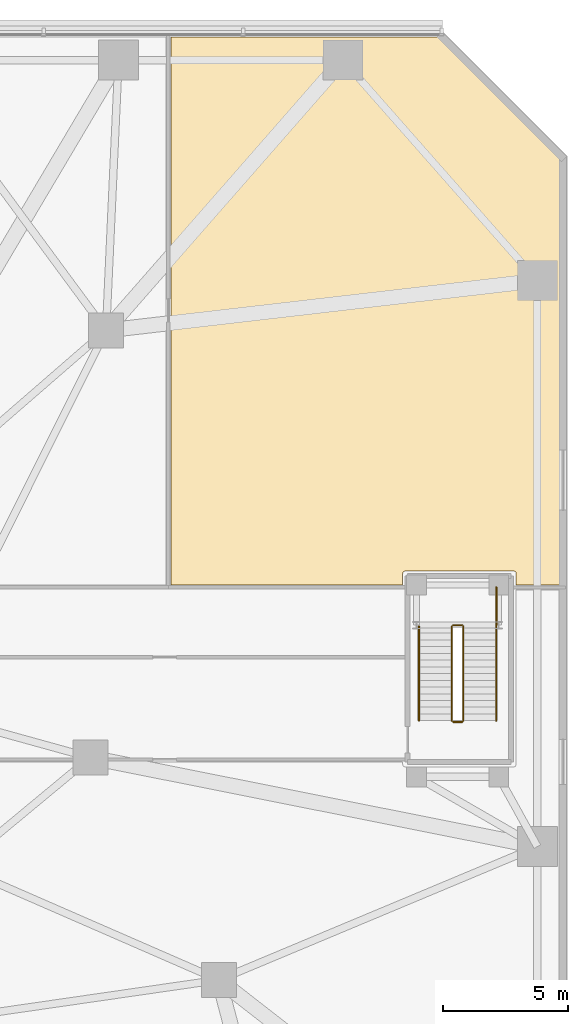
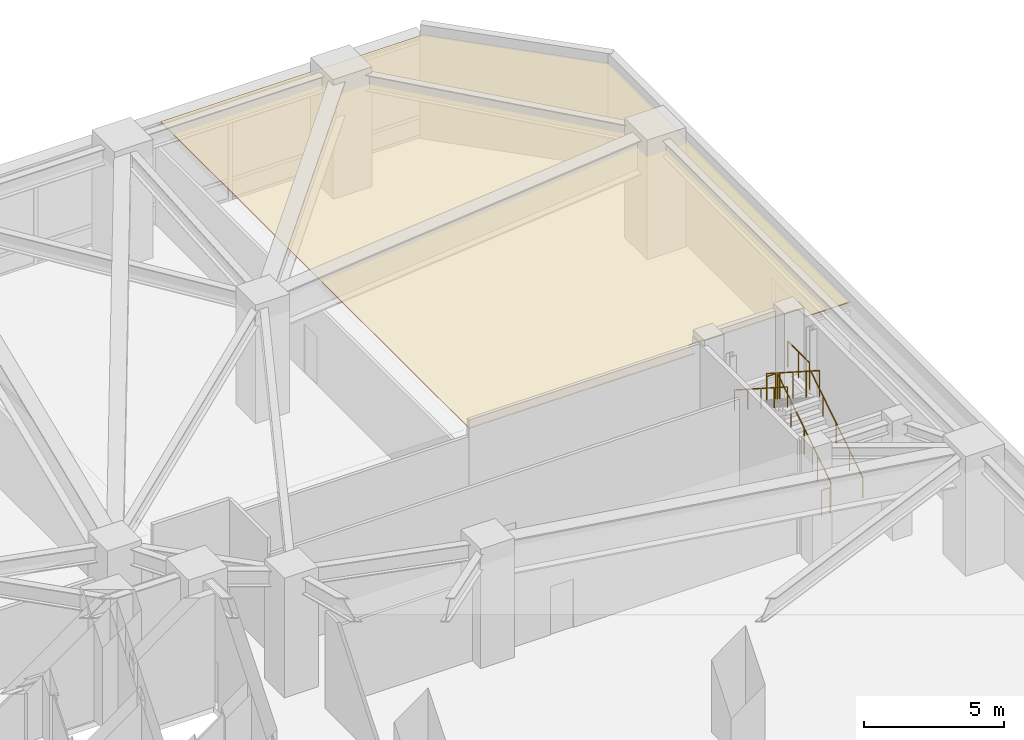
# One storey, part 28 of 28: 7 railings, 1 covering.
"""IFC4 building model written with IfcOpenShell, lengths in metres."""

from ifc_helpers import new_model, si_unit, direction, frame, origin, origin_2d, place, context, subcontext, project, spatial, polyline, circle, outline, extrude, material, layer, layer_set, type_object, element, save


model = new_model("IFC4")

# Units and contexts
model_context = context("Model", 3, precision=1e-05, world=origin(), true_north=direction((0.0, 1.0)))
body_context = subcontext(model_context, "Body", "Model", "MODEL_VIEW")
ifc_project = project(units=[si_unit("LENGTHUNIT", "METRE"), si_unit("AREAUNIT", "SQUARE_METRE"), si_unit("VOLUMEUNIT", "CUBIC_METRE"), si_unit("PLANEANGLEUNIT", "RADIAN"), si_unit("MASSUNIT", "GRAM", prefix="KILO")], contexts=[model_context])

# Site, building, storey
site_placement = place(None, origin())
site = spatial("IfcSite", under=ifc_project, at=site_placement, CompositionType="ELEMENT")
building_placement = place(site_placement, origin())
building = spatial("IfcBuilding", under=site, at=building_placement, Name="Terralouvre Media Tower", CompositionType="ELEMENT")
storey_placement = place(building_placement, frame((0.0, 0.0, 10.39990234375)))
storey = spatial("IfcBuildingStorey", under=building, at=storey_placement, Name="L02", CompositionType="ELEMENT", Elevation=10.39990234375)

# Covering
ifc_material_1 = material(Name="Perforated aluminium acoustic ceiling baffle", Category="aluminium")
ifc_layer_1 = layer(ifc_material_1, 0.0400390625, Name="Perforated Acoustic Metal Tile Ceiling CL-AC1")
ifc_layer_set_1 = layer_set([ifc_layer_1], Name="Perforated aluminium acoustic ceiling baffle")
covering_type = type_object("IfcCoveringType", Name="Perforated Acoustic Metal Tile Ceiling CL-AC1", PredefinedType="CEILING", material=ifc_layer_set_1)
covering_placement = place(storey_placement, frame((0.0, 0.0, 4.43017578125)))
element("IfcCovering", 1, at=covering_placement, inside=storey, type_object=covering_type, Name="L02 L02 Operations Crew Lounge 8 Acoustic Ceiling", PredefinedType="CEILING", context=body_context, shape_type="SweptSolid", body=[
    extrude(outline(polyline([(30.39990234375, 11.300048828125), (30.39990234375, 11.75), (30.400390625, 11.759765625), (30.40185546875, 11.76953125), (30.404296875, 11.779052734375), (30.40771484375, 11.788330078125), (30.411865234375, 11.797119140625), (30.4169921875, 11.8056640625), (30.422607421875, 11.8134765625), (30.42919921875, 11.82080078125), (30.4365234375, 11.827392578125), (30.4443359375, 11.8330078125), (30.452880859375, 11.838134765625), (30.461669921875, 11.84228515625), (30.470947265625, 11.845703125), (30.48046875, 11.84814453125), (30.490234375, 11.849609375), (30.5, 11.85009765625), (34.85009765625, 11.85009765625), (34.85986328125, 11.849609375), (34.869384765625, 11.84814453125), (34.87890625, 11.845703125), (34.88818359375, 11.84228515625), (34.897216796875, 11.838134765625), (34.905517578125, 11.8330078125), (34.913330078125, 11.827392578125), (34.920654296875, 11.82080078125), (34.92724609375, 11.8134765625), (34.93310546875, 11.8056640625), (34.938232421875, 11.797119140625), (34.9423828125, 11.788330078125), (34.94580078125, 11.779052734375), (34.947998046875, 11.76953125), (34.949462890625, 11.759765625), (34.949951171875, 11.75), (34.949951171875, 11.300048828125), (36.780029296875, 11.300048828125), (36.780029296875, 28.40869140625), (31.90869140625, 33.280029296875), (21.10009765625, 33.280029296875), (21.10009765625, 11.300048828125), (30.39990234375, 11.300048828125)])), origin(), (0.0, 0.0, 1.0), 0.0400390625),
])

# Railings
ifc_material_2 = material(Name="Stainless steel 316 handrail and balustrade", Category="steel")
ifc_layer_2 = layer(ifc_material_2, 0.050048828125, Name="Stair Flight Wall Handrail HR-INT1")
ifc_layer_set_2 = layer_set([ifc_layer_2], Name="Stainless steel 316 handrail and balustrade")
railing_type_1 = type_object("IfcRailingType", Name="Stair Flight Wall Handrail HR-INT1", PredefinedType="HANDRAIL", material=ifc_layer_set_2)
railing_1_placement = place(storey_placement, frame((34.14990234375, 5.85009765625, 0.17333984375)))
element("IfcRailing", 2, at=railing_1_placement, inside=storey, type_object=railing_type_1, Name="L02 ST-04 stair handrail 1", PredefinedType="HANDRAIL", context=body_context, shape_type="SweptSolid", body=[
    extrude(circle(Radius=0.02392578125, at=origin_2d()), frame((0.0, 0.0, 0.8759765625), z_axis=(0.0, 0.841492677865, 0.540268519441), x_axis=(-1.0, 0.0, 0.0)), (0.0, 0.0, 1.0), 4.49169921875),
    extrude(circle(Radius=0.02099609375, at=origin_2d()), origin(), (0.0, 0.0, 1.0), 0.851806640625),
    extrude(circle(Radius=0.02099609375, at=origin_2d()), frame((0.0, 0.94482421875, 0.606689453125)), (0.0, 0.0, 1.0), 0.851806640625),
    extrude(circle(Radius=0.02099609375, at=origin_2d()), frame((0.0, 1.889892578125, 1.21337890625)), (0.0, 0.0, 1.0), 0.851806640625),
    extrude(circle(Radius=0.02099609375, at=origin_2d()), frame((0.0, 2.8349609375, 1.820068359375)), (0.0, 0.0, 1.0), 0.851806640625),
    extrude(circle(Radius=0.02099609375, at=origin_2d()), frame((0.0, 3.77978515625, 2.4267578125)), (0.0, 0.0, 1.0), 0.851806640625),
])
railing_2_placement = place(storey_placement, frame((31.050048828125, 9.6298828125, 2.7734375)))
element("IfcRailing", 3, at=railing_2_placement, inside=storey, type_object=railing_type_1, Name="L02 ST-04 stair handrail 2", PredefinedType="HANDRAIL", context=body_context, shape_type="SweptSolid", body=[
    extrude(circle(Radius=0.02392578125, at=origin_2d()), frame((0.0, 0.0, 0.8759765625), z_axis=(0.0, -0.841492677865, 0.540268519441), x_axis=(1.0, 0.0, 0.0)), (0.0, 0.0, 1.0), 4.49169921875),
    extrude(circle(Radius=0.02099609375, at=origin_2d()), origin(), (0.0, 0.0, 1.0), 0.851806640625),
    extrude(circle(Radius=0.02099609375, at=origin_2d()), frame((0.0, -0.94482421875, 0.606689453125)), (0.0, 0.0, 1.0), 0.851806640625),
    extrude(circle(Radius=0.02099609375, at=origin_2d()), frame((0.0, -1.889892578125, 1.21337890625)), (0.0, 0.0, 1.0), 0.851806640625),
    extrude(circle(Radius=0.02099609375, at=origin_2d()), frame((0.0, -2.8349609375, 1.820068359375)), (0.0, 0.0, 1.0), 0.851806640625),
    extrude(circle(Radius=0.02099609375, at=origin_2d()), frame((0.0, -3.77978515625, 2.4267578125)), (0.0, 0.0, 1.0), 0.851806640625),
])
ifc_material_3 = material(Name="Stainless steel 316 handrail and balustrade", Category="steel")
ifc_layer_3 = layer(ifc_material_3, 0.050048828125, Name="Stairwell Safety Guardrail GR-INT1")
ifc_layer_set_3 = layer_set([ifc_layer_3], Name="Stainless steel 316 handrail and balustrade")
railing_type_2 = type_object("IfcRailingType", Name="Stairwell Safety Guardrail GR-INT1", PredefinedType="GUARDRAIL", material=ifc_layer_set_3)
railing_3_placement = place(storey_placement, frame((32.830078125, 5.85009765625, 0.17333984375)))
element("IfcRailing", 4, at=railing_3_placement, inside=storey, type_object=railing_type_2, Name="L02 ST-04 stair guard 1", PredefinedType="GUARDRAIL", context=body_context, shape_type="SweptSolid", body=[
    extrude(circle(Radius=0.02392578125, at=origin_2d()), frame((0.0, 0.0, 1.1259765625), z_axis=(0.0, 0.841492677865, 0.540268519441), x_axis=(-1.0, 0.0, 0.0)), (0.0, 0.0, 1.0), 4.49169921875),
    extrude(circle(Radius=0.02099609375, at=origin_2d()), origin(), (0.0, 0.0, 1.0), 1.101806640625),
    extrude(circle(Radius=0.02099609375, at=origin_2d()), frame((0.0, 0.94482421875, 0.606689453125)), (0.0, 0.0, 1.0), 1.101806640625),
    extrude(circle(Radius=0.02099609375, at=origin_2d()), frame((0.0, 1.889892578125, 1.21337890625)), (0.0, 0.0, 1.0), 1.101806640625),
    extrude(circle(Radius=0.02099609375, at=origin_2d()), frame((0.0, 2.8349609375, 1.820068359375)), (0.0, 0.0, 1.0), 1.101806640625),
    extrude(circle(Radius=0.02099609375, at=origin_2d()), frame((0.0, 3.77978515625, 2.4267578125)), (0.0, 0.0, 1.0), 1.101806640625),
])
railing_4_placement = place(storey_placement, frame((32.780029296875, 9.679931640625, 2.60009765625)))
element("IfcRailing", 5, at=railing_4_placement, inside=storey, type_object=railing_type_2, Name="L02 ST-04 stair guard 2", PredefinedType="GUARDRAIL", context=body_context, shape_type="SweptSolid", body=[
    extrude(circle(Radius=0.02392578125, at=origin_2d()), frame((0.0, 0.0, 1.1259765625), z_axis=(-1.0, 0.0, 0.0), x_axis=(0.0, -1.0, 0.0)), (0.0, 0.0, 1.0), 0.360107421875),
    extrude(circle(Radius=0.02099609375, at=origin_2d()), origin(), (0.0, 0.0, 1.0), 1.101806640625),
    extrude(circle(Radius=0.02099609375, at=origin_2d()), frame((-0.360107421875, 0.0, 0.0)), (0.0, 0.0, 1.0), 1.101806640625),
])
railing_5_placement = place(storey_placement, frame((32.3701171875, 9.6298828125, 2.7734375)))
element("IfcRailing", 6, at=railing_5_placement, inside=storey, type_object=railing_type_2, Name="L02 ST-04 stair guard 3", PredefinedType="GUARDRAIL", context=body_context, shape_type="SweptSolid", body=[
    extrude(circle(Radius=0.02392578125, at=origin_2d()), frame((0.0, 0.0, 1.1259765625), z_axis=(0.0, -0.841492677865, 0.540268519441), x_axis=(1.0, 0.0, 0.0)), (0.0, 0.0, 1.0), 4.49169921875),
    extrude(circle(Radius=0.02099609375, at=origin_2d()), origin(), (0.0, 0.0, 1.0), 1.101806640625),
    extrude(circle(Radius=0.02099609375, at=origin_2d()), frame((0.0, -0.94482421875, 0.606689453125)), (0.0, 0.0, 1.0), 1.101806640625),
    extrude(circle(Radius=0.02099609375, at=origin_2d()), frame((0.0, -1.889892578125, 1.21337890625)), (0.0, 0.0, 1.0), 1.101806640625),
    extrude(circle(Radius=0.02099609375, at=origin_2d()), frame((0.0, -2.8349609375, 1.820068359375)), (0.0, 0.0, 1.0), 1.101806640625),
    extrude(circle(Radius=0.02099609375, at=origin_2d()), frame((0.0, -3.77978515625, 2.4267578125)), (0.0, 0.0, 1.0), 1.101806640625),
])
railing_6_placement = place(storey_placement, frame((32.780029296875, 5.800048828125, 0.0)))
element("IfcRailing", 7, at=railing_6_placement, inside=storey, type_object=railing_type_2, Name="L02 ST-04 stair guard 4", PredefinedType="GUARDRAIL", context=body_context, shape_type="SweptSolid", body=[
    extrude(circle(Radius=0.02392578125, at=origin_2d()), frame((0.0, 0.0, 1.1259765625), z_axis=(-1.0, 0.0, 0.0), x_axis=(0.0, -1.0, 0.0)), (0.0, 0.0, 1.0), 0.360107421875),
    extrude(circle(Radius=0.02099609375, at=origin_2d()), origin(), (0.0, 0.0, 1.0), 1.101806640625),
    extrude(circle(Radius=0.02099609375, at=origin_2d()), frame((-0.360107421875, 0.0, 0.0)), (0.0, 0.0, 1.0), 1.101806640625),
])
railing_7_placement = place(storey_placement, frame((34.159912109375, 9.669921875, 2.60009765625)))
element("IfcRailing", 8, at=railing_7_placement, inside=storey, type_object=railing_type_2, Name="L02 ST-04 Half-Landing Outer Guardrail", PredefinedType="GUARDRAIL", context=body_context, shape_type="SweptSolid", body=[
    extrude(circle(Radius=0.02392578125, at=origin_2d()), frame((0.0, 0.0, 1.1259765625), z_axis=(0.0, 1.0, 0.0), x_axis=(-1.0, 0.0, 0.0)), (0.0, 0.0, 1.0), 1.5400390625),
    extrude(circle(Radius=0.02099609375, at=origin_2d()), origin(), (0.0, 0.0, 1.0), 1.101806640625),
    extrude(circle(Radius=0.02099609375, at=origin_2d()), frame((0.0, 0.77001953125, 0.0)), (0.0, 0.0, 1.0), 1.101806640625),
    extrude(circle(Radius=0.02099609375, at=origin_2d()), frame((0.0, 1.5400390625, 0.0)), (0.0, 0.0, 1.0), 1.101806640625),
])

save(model, "model.ifc")
